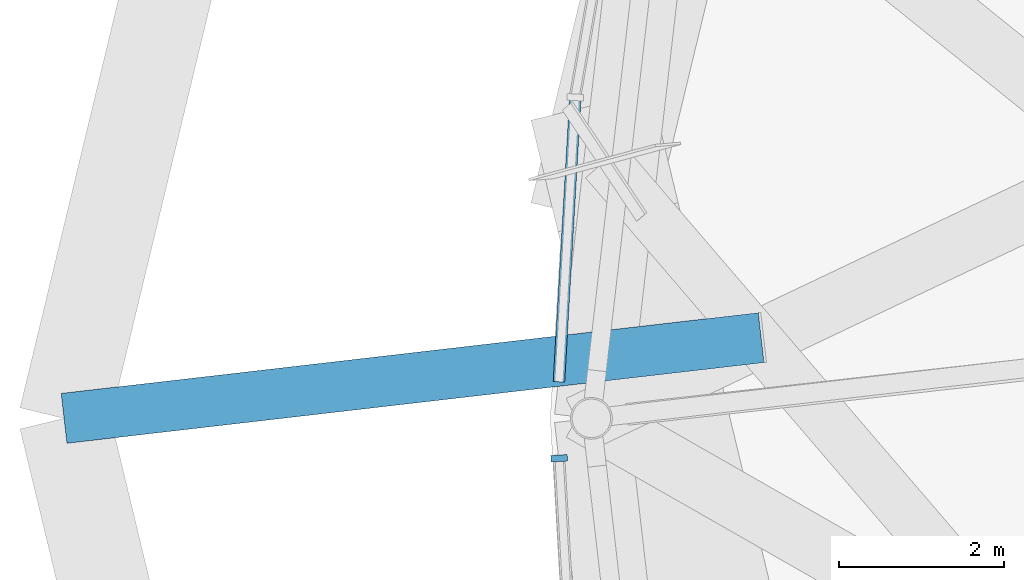
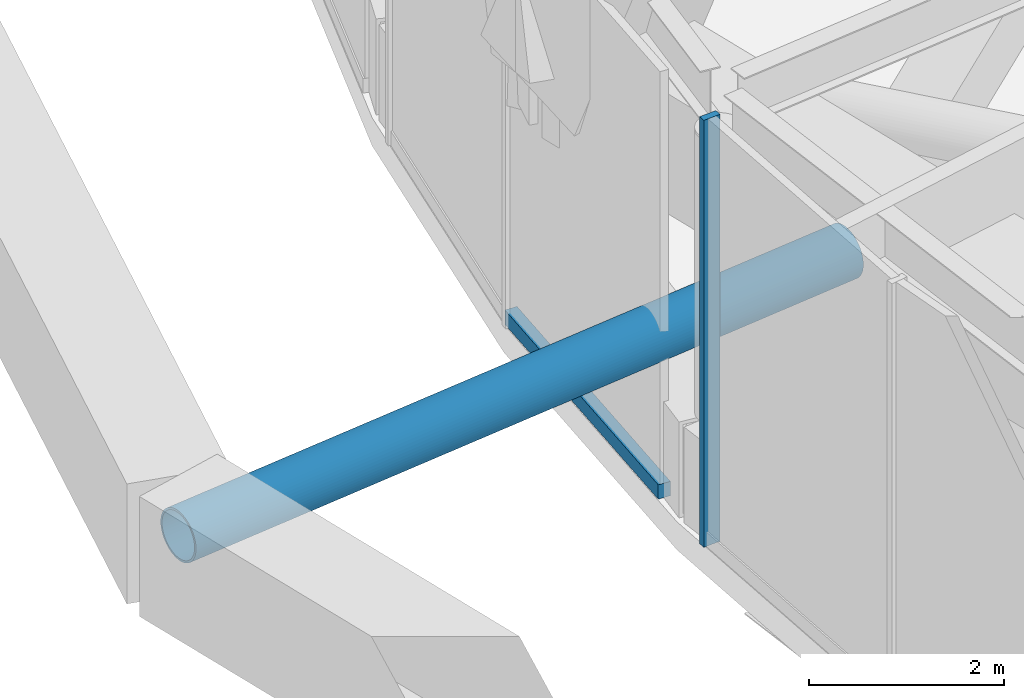
# One storey, part 23 of 49: 3 members, 2 elements without a shape of their own.
"""IFC4 building model written with IfcOpenShell, lengths in metres."""

from ifc_helpers import new_model, si_unit, direction, frame, origin, origin_2d, place, context, subcontext, project, spatial, rectangle, hollow_circle, extrude, material, layer, layer_set, material_profile, profile_set, type_object, element, aggregate, save


model = new_model("IFC4")

# Units and contexts
model_context = context("Model", 3, precision=1e-05, world=origin(), true_north=direction((0.0, 1.0)))
body_context = subcontext(model_context, "Body", "Model", "MODEL_VIEW")
ifc_project = project(units=[si_unit("LENGTHUNIT", "METRE"), si_unit("AREAUNIT", "SQUARE_METRE"), si_unit("VOLUMEUNIT", "CUBIC_METRE"), si_unit("PLANEANGLEUNIT", "RADIAN"), si_unit("MASSUNIT", "GRAM", prefix="KILO")], contexts=[model_context])

# Site, building, storey
site_placement = place(None, origin())
site = spatial("IfcSite", under=ifc_project, at=site_placement, CompositionType="ELEMENT")
building_placement = place(site_placement, origin())
building = spatial("IfcBuilding", under=site, at=building_placement, Name="Nagisa Residences", CompositionType="ELEMENT")
storey_placement = place(building_placement, frame((0.0, 0.0, 160.300048828125)))
storey = spatial("IfcBuildingStorey", under=building, at=storey_placement, Name="L40", CompositionType="ELEMENT", Elevation=160.300048828125)

# Curtain wall, member
ifc_material_1 = material(Name="Aluminium curtain wall system", Category="aluminium")
ifc_layer = layer(ifc_material_1, 0.159912109375)
ifc_layer_set = layer_set([ifc_layer], Name="CW2 CURTAIN WALL")
curtain_wall_type = type_object("IfcCurtainWallType", Name="CW2 CURTAIN WALL", PredefinedType="NOTDEFINED", material=ifc_layer_set)
curtain_wall_1_placement = place(storey_placement, origin())
curtain_wall_1 = element("IfcCurtainWall", 1, at=curtain_wall_1_placement, inside=storey, type_object=curtain_wall_type, Name="cw:CW2:L40:24", PredefinedType="NOTDEFINED")
ifc_material_2 = material(Name="Aluminium", Category="aluminium")
ifc_material_profile_1 = material_profile(ifc_material_2, rectangle(XDim=0.199951171875, YDim=0.080078125, at=origin_2d()), Name="CW2 MULLION 200x80")
ifc_profile_set_1 = profile_set([ifc_material_profile_1], Name="Aluminium")
member_type_1 = type_object("IfcMemberType", Name="CW2 MULLION 200x80", PredefinedType="MULLION", material=ifc_profile_set_1)
member_1_placement = place(storey_placement, frame((-28.22705078125, -3.602294921875, 0.0), z_axis=(0.0, 0.0, 1.0), x_axis=(0.998345305184, 0.057503492216, 0.0)))
member_1 = element("IfcMember", 2, at=member_1_placement, type_object=member_type_1, Name="CW2 mullion", PredefinedType="MULLION", context=body_context, shape_type="SweptSolid", body=[
    extrude(rectangle(XDim=0.199951171875, YDim=0.080078125, at=origin_2d()), origin(), (0.0, 0.0, 1.0), 5.33984375),
])
aggregate(curtain_wall_1, [member_1])

curtain_wall_2_placement = place(storey_placement, origin())
curtain_wall_2 = element("IfcCurtainWall", 3, at=curtain_wall_2_placement, inside=storey, type_object=curtain_wall_type, Name="cw:CW2:L40:23", PredefinedType="NOTDEFINED")
ifc_material_3 = material(Name="Aluminium", Category="aluminium")
ifc_material_profile_2 = material_profile(ifc_material_3, rectangle(XDim=0.139892578125, YDim=0.179931640625, at=origin_2d()), Name="CW2 TRANSOM 140x180")
ifc_profile_set_2 = profile_set([ifc_material_profile_2], Name="Aluminium")
member_type_2 = type_object("IfcMemberType", Name="CW2 TRANSOM 140x180", PredefinedType="USERDEFINED", material=ifc_profile_set_2)
member_2_placement = place(storey_placement, frame((-28.028076171875, 0.81884765625, 0.08984375), z_axis=(-0.057514926152, -0.998344646537, 0.0), x_axis=(0.998344646537, -0.057514926152, 0.0)))
member_2 = element("IfcMember", 4, at=member_2_placement, type_object=member_type_2, Name="CW2 transom", ObjectType="TRANSOM", PredefinedType="USERDEFINED", context=body_context, shape_type="SweptSolid", body=[
    extrude(rectangle(XDim=0.139892578125, YDim=0.179931640625, at=origin_2d()), origin(), (0.0, 0.0, 1.0), 3.497802734375),
])
aggregate(curtain_wall_2, [member_2])

# Member
ifc_material_4 = material(Name="Steel ASTM A572 Gr 65", Category="steel")
ifc_material_profile_3 = material_profile(ifc_material_4, hollow_circle(Radius=0.304931640625, WallThickness=0.02490234375, at=origin_2d()), Name="CHS 610x25")
ifc_profile_set_3 = profile_set([ifc_material_profile_3], Name="Steel ASTM A572 Gr 65")
member_type_3 = type_object("IfcMemberType", Name="Cage strut CHS 610x25", PredefinedType="STRUT", material=ifc_profile_set_3)
member_3_placement = place(storey_placement, frame((-34.235107421875, -3.11767578125, 1.89990234375), z_axis=(0.993370713863, 0.114954881755, 0.0), x_axis=(-0.114954881755, 0.993370713863, 0.0)))
element("IfcMember", 5, at=member_3_placement, inside=storey, type_object=member_type_3, Name="mem:L40:bt3st3a07", PredefinedType="STRUT", context=body_context, shape_type="SweptSolid", body=[
    extrude(hollow_circle(Radius=0.304931640625, WallThickness=0.02490234375, at=origin_2d()), origin(), (0.0, 0.0, 1.0), 8.516357421875),
])

save(model, "model.ifc")
